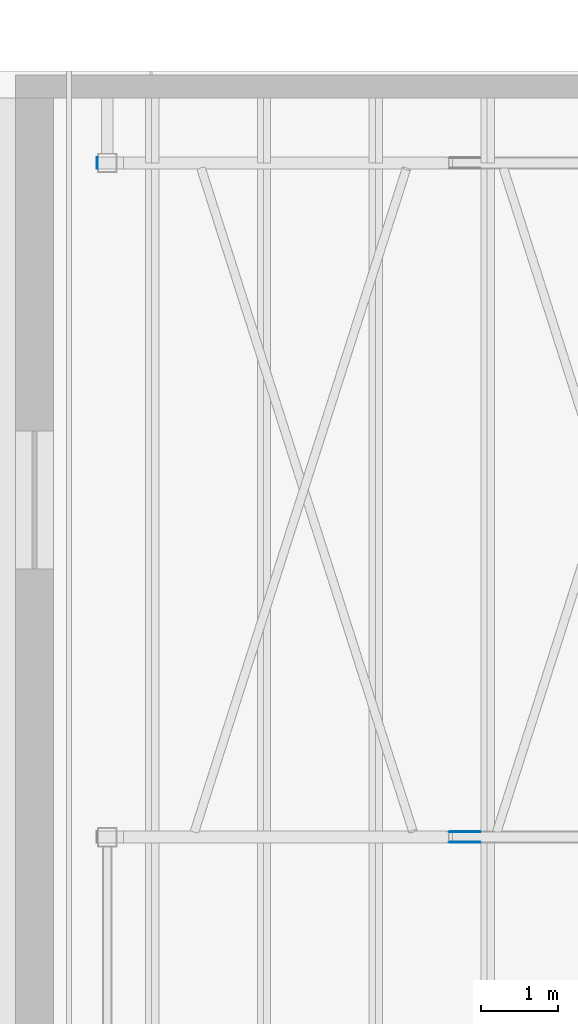
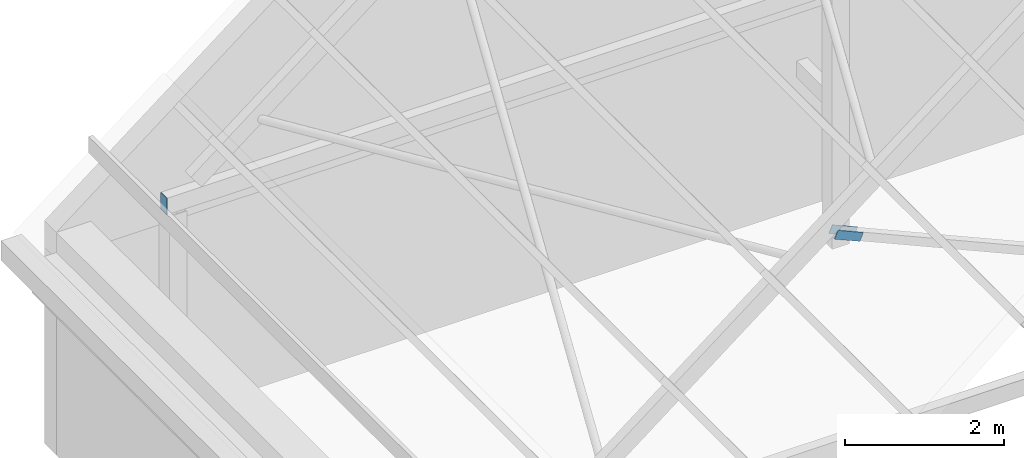
# One storey, part 99 of 127: 3 discrete accessories.
"""IFC4 building model written with IfcOpenShell, lengths in metres."""

import ifcopenshell
import ifcopenshell.guid

model = None  # the IFC model being written
_history = None  # IfcOwnerHistory: only IFC2X3 demands one
_inside = {}  # id of a spatial element -> (the spatial element, [elements in it])
_under = {}  # id of a project, library or spatial element -> (it, [spatial elements below it])
_declared = {}  # id of a project -> (the project, [libraries it declares])
_typed = {}  # id of a type object -> (the type object, [elements of that type])
_made_of = {}  # id of a material, layer set ... -> (it, [elements and type objects made of it])


def new_model(schema):
    """Start an empty IFC model of exactly this schema.

    Asked for "IFC4X3", IfcOpenShell would pick the latest addendum, in which some entities
    have other attributes; the version numbers below select the first issue.
    IFC2X3 requires an IfcOwnerHistory on every rooted entity: one is made here for all.
    """
    global model, _history
    if schema == "IFC4X3":
        model = ifcopenshell.file(schema_version=(4, 3, 0, 0))
    else:
        model = ifcopenshell.file(schema=schema)
    _inside.clear()
    _under.clear()
    _declared.clear()
    _typed.clear()
    _made_of.clear()
    _history = None
    if model.schema == "IFC2X3":
        org = make("IfcOrganization", Name="unknown")
        user = make(
            "IfcPersonAndOrganization",
            ThePerson=make("IfcPerson", FamilyName="unknown"),
            TheOrganization=org,
        )
        app = make(
            "IfcApplication",
            ApplicationDeveloper=org,
            Version="unknown",
            ApplicationFullName="unknown",
            ApplicationIdentifier="unknown",
        )
        _history = make(
            "IfcOwnerHistory",
            OwningUser=user,
            OwningApplication=app,
            ChangeAction="ADDED",
            CreationDate=0,
        )
    return model


def make(cls, **values):
    """One entity of the class cls with the attributes given. An attribute that is None is left unset."""
    return model.create_entity(
        cls, **{name: value for name, value in values.items() if value is not None}
    )


def rooted(cls, **values):
    """An entity with a GlobalId (a new one), such as an element, a storey or a relation."""
    return make(cls, GlobalId=ifcopenshell.guid.new(), OwnerHistory=_history, **values)


def si_unit(unit_type, name, prefix=None):
    """IfcSIUnit, for example si_unit("LENGTHUNIT", "METRE", prefix="MILLI")."""
    return make("IfcSIUnit", UnitType=unit_type, Prefix=prefix, Name=name)


def assignment(units):
    """IfcUnitAssignment: the units of a project."""
    return None if units is None else make("IfcUnitAssignment", Units=units)


def point(xyz):
    """IfcCartesianPoint."""
    return None if xyz is None else make("IfcCartesianPoint", Coordinates=xyz)


def direction(xyz):
    """IfcDirection."""
    return None if xyz is None else make("IfcDirection", DirectionRatios=xyz)


def frame(location, z_axis=None, x_axis=None):
    """IfcAxis2Placement3D, a coordinate frame: its origin and axes. An axis left out is left unset."""
    return make(
        "IfcAxis2Placement3D",
        Location=point(location),
        Axis=direction(z_axis),
        RefDirection=direction(x_axis),
    )


def frame_2d(location, x_axis=None):
    """IfcAxis2Placement2D, a coordinate frame in the plane: its origin and x axis."""
    return make(
        "IfcAxis2Placement2D", Location=point(location), RefDirection=direction(x_axis)
    )


def origin():
    """The frame at (0, 0, 0) with its axes left unset."""
    return frame((0.0, 0.0, 0.0))


def origin_2d():
    """The frame at (0, 0) in the plane with its x axis left unset."""
    return frame_2d((0.0, 0.0))


def place(relative_to, where):
    """IfcLocalPlacement: puts the frame where relative to a parent placement (None: the world)."""
    return make(
        "IfcLocalPlacement", PlacementRelTo=relative_to, RelativePlacement=where
    )


def context(
    kind, dimensions, precision=None, world=None, true_north=None, identifier=None
):
    """IfcGeometricRepresentationContext, for example the 3D "Model" context."""
    return make(
        "IfcGeometricRepresentationContext",
        ContextIdentifier=identifier,
        ContextType=kind,
        CoordinateSpaceDimension=dimensions,
        Precision=precision,
        WorldCoordinateSystem=world,
        TrueNorth=true_north,
    )


def subcontext(parent, identifier, kind, view, scale=None):
    """IfcGeometricRepresentationSubContext, for example "Body" below "Model"."""
    return make(
        "IfcGeometricRepresentationSubContext",
        ContextIdentifier=identifier,
        ContextType=kind,
        ParentContext=parent,
        TargetScale=scale,
        TargetView=view,
    )


def project(units=None, contexts=None):
    """IfcProject with its units and contexts."""
    return rooted(
        "IfcProject",
        Name="project",
        RepresentationContexts=contexts,
        UnitsInContext=assignment(units),
    )


def spatial(cls, under=None, at=None, **own):
    """A site, building, storey or space (cls), placed at a placement, below another one or the project."""
    s = rooted(cls, ObjectPlacement=at, **own)
    if under is not None:
        _under.setdefault(under.id(), (under, []))[1].append(s)
    return s


def profile(cls, at=None, kind="AREA", **sizes):
    """A parametric profile (cls). Its sizes go by their IFC names, for example OverallWidth=200.0."""
    return make(cls, ProfileType=kind, Position=at, **sizes)


def rectangle(**sizes):
    """IfcRectangleProfileDef."""
    return profile("IfcRectangleProfileDef", **sizes)


def extrude(swept, where, along, depth):
    """IfcExtrudedAreaSolid: the profile swept, set in the frame where, extruded along a direction by depth."""
    return make(
        "IfcExtrudedAreaSolid",
        SweptArea=swept,
        Position=where,
        ExtrudedDirection=direction(along),
        Depth=depth,
    )


def shape(context_of_items, identifier, shape_type, items):
    """IfcShapeRepresentation: the items that make up one representation, for example the "Body"."""
    return make(
        "IfcShapeRepresentation",
        ContextOfItems=context_of_items,
        RepresentationIdentifier=identifier,
        RepresentationType=shape_type,
        Items=items,
    )


def material(Name=None, Category=None):
    """IfcMaterial."""
    return make("IfcMaterial", Name=Name, Category=Category)


def material_profile(
    of_material, cross_section, Name=None, Category=None, Priority=None
):
    """IfcMaterialProfile: a cross section and its material."""
    return make(
        "IfcMaterialProfile",
        Name=Name,
        Material=of_material,
        Profile=cross_section,
        Priority=Priority,
        Category=Category,
    )


def profile_set(profiles, Name=None, composite=None):
    """IfcMaterialProfileSet."""
    return make(
        "IfcMaterialProfileSet",
        Name=Name,
        MaterialProfiles=profiles,
        CompositeProfile=composite,
    )


def made_of(thing, what):
    """Note that an element or type object is made of a material, layer set ...; save() writes the relation."""
    if what is not None:
        _made_of.setdefault(what.id(), (what, []))[1].append(thing)
    return thing


def type_object(cls, material=None, **own):
    """A type object (cls), such as IfcWallType, which elements share."""
    return made_of(rooted(cls, **own), material)


def element(
    cls,
    number,
    at=None,
    inside=None,
    cuts=None,
    type_object=None,
    material=None,
    context=None,
    identifier="Body",
    shape_type=None,
    held_by="IfcProductDefinitionShape",
    body=None,
    shapes=None,
    **own,
):
    """One element of the class cls, such as IfcWall. Its Tag is "e" and its number.

    at: its placement. inside: the storey or other place that contains it. cuts: it is an
    opening in that element (IfcRelVoidsElement). A single representation is given by context,
    identifier, shape_type and body (its items); several are given by shapes. held_by: the class
    of the entity that holds the representations. save() writes the other relations.
    """
    e = rooted(cls, Tag="e%d" % number, ObjectPlacement=at, **own)
    if body is not None:
        shapes = [shape(context, identifier, shape_type, body)]
    if shapes is not None:
        e.Representation = make(held_by, Representations=shapes)
    if inside is not None:
        _inside.setdefault(inside.id(), (inside, []))[1].append(e)
    if cuts is not None:
        rooted(
            "IfcRelVoidsElement", RelatingBuildingElement=cuts, RelatedOpeningElement=e
        )
    if type_object is not None:
        _typed.setdefault(type_object.id(), (type_object, []))[1].append(e)
    return made_of(e, material)


def aggregate(whole, parts):
    """IfcRelAggregates: a whole, such as a stair, and the parts it consists of."""
    return rooted("IfcRelAggregates", RelatingObject=whole, RelatedObjects=parts)


def save(model, path):
    """Write the relations noted so far, then the file.

    IfcRelAggregates (storeys below a building ...), IfcRelContainedInSpatialStructure (elements
    in a storey), IfcRelDefinesByType, IfcRelAssociatesMaterial and IfcRelDeclares: one each for
    every whole, place, type object, material and project.
    """
    for whole, parts in _under.values():
        aggregate(whole, parts)
    for where, things in _inside.values():
        rooted(
            "IfcRelContainedInSpatialStructure",
            RelatedElements=things,
            RelatingStructure=where,
        )
    for kind, things in _typed.values():
        rooted("IfcRelDefinesByType", RelatedObjects=things, RelatingType=kind)
    for what, things in _made_of.values():
        rooted("IfcRelAssociatesMaterial", RelatedObjects=things, RelatingMaterial=what)
    for by, libraries in _declared.values():
        rooted("IfcRelDeclares", RelatingContext=by, RelatedDefinitions=libraries)
    model.write(path)


model = new_model("IFC4")

# Units and contexts
model_context = context("Model", 3, precision=1e-05, world=origin(), true_north=direction((0.0, 1.0)))
body_context = subcontext(model_context, "Body", "Model", "MODEL_VIEW")
ifc_project = project(units=[si_unit("LENGTHUNIT", "METRE"), si_unit("AREAUNIT", "SQUARE_METRE"), si_unit("VOLUMEUNIT", "CUBIC_METRE"), si_unit("PLANEANGLEUNIT", "RADIAN"), si_unit("MASSUNIT", "GRAM", prefix="KILO")], contexts=[model_context])

# Site, building, storey
site_placement = place(None, origin())
site = spatial("IfcSite", under=ifc_project, at=site_placement, CompositionType="ELEMENT")
building_placement = place(site_placement, origin())
building = spatial("IfcBuilding", under=site, at=building_placement, Name="Verrick Yard Athletic Hall", CompositionType="ELEMENT")
storey_placement = place(building_placement, frame((0.0, 0.0, 14.0)))
storey = spatial("IfcBuildingStorey", under=building, at=storey_placement, Name="L03", CompositionType="ELEMENT", Elevation=14.0)

# Discrete accessories
ifc_material = material(Name="Structural steel 350W (CSA G40.21)", Category="steel")
ifc_material_profile_1 = material_profile(ifc_material, rectangle(XDim=0.39990234375, YDim=0.126953125, at=origin_2d()), Name="Brace end cheek plate")
ifc_profile_set_1 = profile_set([ifc_material_profile_1], Name="Structural steel 350W (CSA G40.21)")
discrete_accessory_type_1 = type_object("IfcDiscreteAccessoryType", Name="Brace end cheek plate 400x127x12", PredefinedType="BRACKET", material=ifc_profile_set_1)
for number, where, z_axis, x_axis, name in (
    (1, (93.8662109375, 90.863525390625, 7.1962890625), (0.0, 1.0, 0.0), (0.914688093773, 0.0, -0.404160476928), "Roof strut end plate 3W 1"),
    (2, (93.8662109375, 90.736572265625, 7.1962890625), (0.0, -1.0, 0.0), (0.914688093773, 0.0, -0.404160476928), "Roof strut end plate 3W 2"),
):
    element("IfcDiscreteAccessory", number, at=place(storey_placement, frame(where, z_axis=z_axis, x_axis=x_axis)), inside=storey, type_object=discrete_accessory_type_1, Name=name, PredefinedType="BRACKET", context=body_context, shape_type="SweptSolid", body=[
        extrude(rectangle(XDim=0.39990234375, YDim=0.126953125, at=origin_2d()), origin(), (0.0, 0.0, 1.0), 0.011962890625),
    ])
ifc_material_profile_2 = material_profile(ifc_material, rectangle(XDim=0.15234375, YDim=0.25390625, at=origin_2d()), Name="STR End cap plate 254x152x9.5")
ifc_profile_set_2 = profile_set([ifc_material_profile_2], Name="Structural steel 350W (CSA G40.21)")
discrete_accessory_type_2 = type_object("IfcDiscreteAccessoryType", Name="STR End cap plate 254x152x9.5", PredefinedType="BRACKET", material=ifc_profile_set_2)
discrete_accessory_placement = place(storey_placement, frame((89.06298828125, 99.60009765625, 3.9892578125), z_axis=(1.0, 0.0, 0.0), x_axis=(0.0, 1.0, 0.0)))
element("IfcDiscreteAccessory", 3, at=discrete_accessory_placement, inside=storey, type_object=discrete_accessory_type_2, Name="End cap HB-RT-4W A", PredefinedType="BRACKET", context=body_context, shape_type="SweptSolid", body=[
    extrude(rectangle(XDim=0.15234375, YDim=0.25390625, at=origin_2d()), origin(), (0.0, 0.0, 1.0), 0.010009765625),
])

save(model, "model.ifc")
